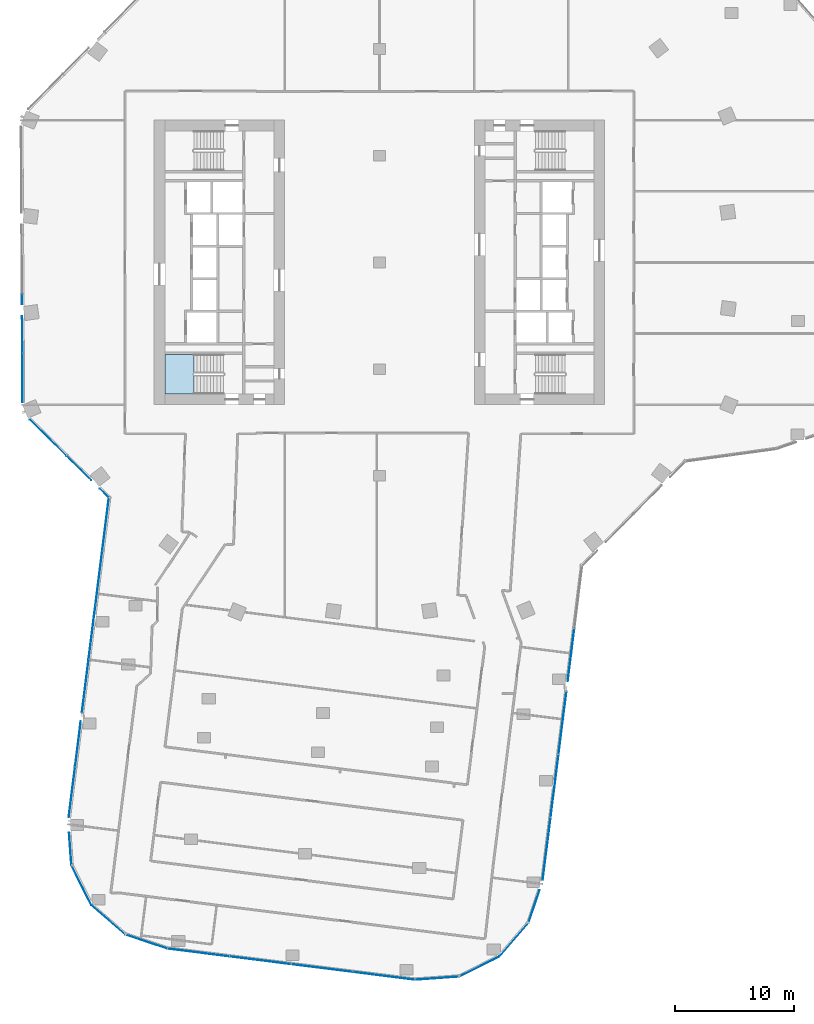
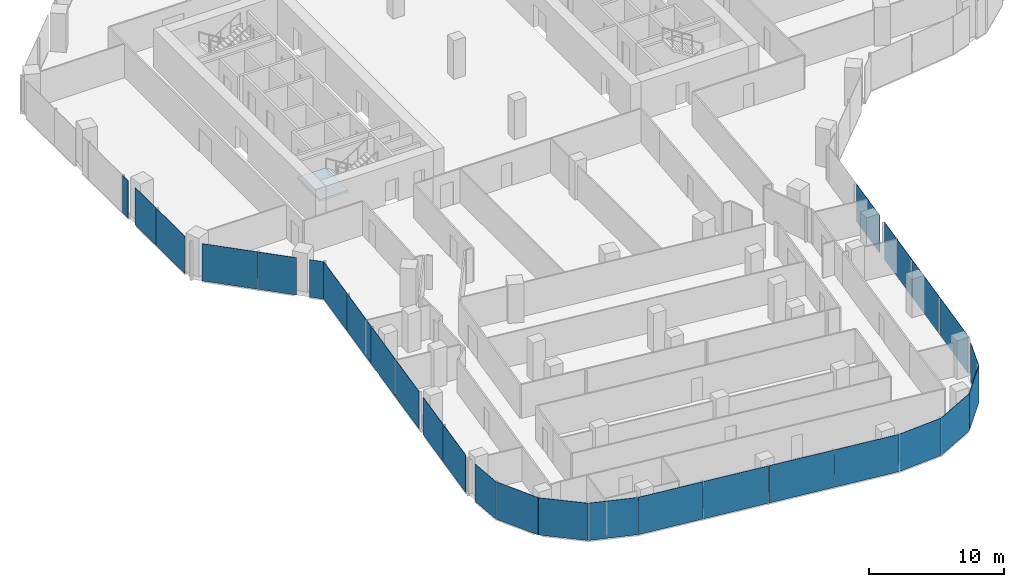
# One storey, part 13 of 27: 28 plates, 1 slab, 14 elements without a shape of their own.
"""IFC4 building model written with IfcOpenShell, lengths in metres."""

from ifc_helpers import new_model, si_unit, direction, frame, origin, origin_2d, place, context, subcontext, project, spatial, polyline, rectangle, outline, extrude, material, layer, layer_set, type_object, element, aggregate, save


model = new_model("IFC4")

# Units and contexts
model_context = context("Model", 3, precision=1e-05, world=origin(), true_north=direction((0.0, 1.0)))
body_context = subcontext(model_context, "Body", "Model", "MODEL_VIEW")
ifc_project = project(units=[si_unit("LENGTHUNIT", "METRE"), si_unit("AREAUNIT", "SQUARE_METRE"), si_unit("VOLUMEUNIT", "CUBIC_METRE"), si_unit("PLANEANGLEUNIT", "RADIAN"), si_unit("MASSUNIT", "GRAM", prefix="KILO")], contexts=[model_context])

# Site, building, storey
site_placement = place(None, origin())
site = spatial("IfcSite", under=ifc_project, at=site_placement, CompositionType="ELEMENT")
building_placement = place(site_placement, origin())
building = spatial("IfcBuilding", under=site, at=building_placement, Name="Orlundy Tower", CompositionType="ELEMENT")
storey_placement = place(building_placement, frame((0.0, 0.0, 192.10009765625)))
storey = spatial("IfcBuildingStorey", under=building, at=storey_placement, Name="L50", CompositionType="ELEMENT", Elevation=192.10009765625)

# Curtain wall, plates
ifc_material_1 = material(Name="Aluminium bronze anodised", Category="aluminium")
curtain_wall_type = type_object("IfcCurtainWallType", Name="CW1 wall", PredefinedType="NOTDEFINED", material=ifc_material_1)
curtain_wall_1_placement = place(storey_placement, origin())
curtain_wall_1 = element("IfcCurtainWall", 1, at=curtain_wall_1_placement, inside=storey, type_object=curtain_wall_type, Name="CW1 run 00", PredefinedType="NOTDEFINED")
ifc_material_2 = material(Name="Tinted glass", Category="glass")
ifc_layer_1 = layer(ifc_material_2, 0.031982421875)
ifc_layer_set_1 = layer_set([ifc_layer_1], Name="CW1 glass panel 32")
plate_type = type_object("IfcPlateType", Name="CW1 glass panel 32", PredefinedType="CURTAIN_PANEL", material=ifc_layer_set_1)
plate_1_placement = place(storey_placement, frame((-25.94189453125, -44.684814453125, -0.300048828125), z_axis=(0.0, 0.0, 1.0), x_axis=(0.124763360518, 0.992186526754, 0.0)))
plate_1 = element("IfcPlate", 2, at=plate_1_placement, type_object=plate_type, Name="CW1 panel", PredefinedType="CURTAIN_PANEL", context=body_context, shape_type="SweptSolid", body=[
    extrude(rectangle(XDim=4.27197265625, YDim=0.031982421875, at=origin_2d()), origin(), (0.0, 0.0, 1.0), 3.3798828125),
])
plate_2_placement = place(storey_placement, frame((-25.4306640625, -40.618896484375, -0.300048828125), z_axis=(0.0, 0.0, 1.0), x_axis=(0.124763360518, 0.992186526754, 0.0)))
plate_2 = element("IfcPlate", 3, at=plate_2_placement, type_object=plate_type, Name="CW1 panel", PredefinedType="CURTAIN_PANEL", context=body_context, shape_type="SweptSolid", body=[
    extrude(rectangle(XDim=3.823974609375, YDim=0.031982421875, at=origin_2d()), origin(), (0.0, 0.0, 1.0), 3.3798828125),
])
plate_3_placement = place(storey_placement, frame((-24.8134765625, -35.71142578125, -0.300048828125), z_axis=(0.0, 0.0, 1.0), x_axis=(0.124763360518, 0.992186526754, 0.0)))
plate_3 = element("IfcPlate", 4, at=plate_3_placement, type_object=plate_type, Name="CW1 panel", PredefinedType="CURTAIN_PANEL", context=body_context, shape_type="SweptSolid", body=[
    extrude(rectangle(XDim=4.53857421875, YDim=0.031982421875, at=origin_2d()), origin(), (0.0, 0.0, 1.0), 3.3798828125),
])
plate_4_placement = place(storey_placement, frame((-24.240966796875, -31.15869140625, -0.300048828125), z_axis=(0.0, 0.0, 1.0), x_axis=(0.124763360518, 0.992186526754, 0.0)))
plate_4 = element("IfcPlate", 5, at=plate_4_placement, type_object=plate_type, Name="CW1 panel", PredefinedType="CURTAIN_PANEL", context=body_context, shape_type="SweptSolid", body=[
    extrude(rectangle(XDim=4.53857421875, YDim=0.031982421875, at=origin_2d()), origin(), (0.0, 0.0, 1.0), 3.3798828125),
])
plate_5_placement = place(storey_placement, frame((-23.66845703125, -26.605712890625, -0.300048828125), z_axis=(0.0, 0.0, 1.0), x_axis=(0.124763360518, 0.992186526754, 0.0)))
plate_5 = element("IfcPlate", 6, at=plate_5_placement, type_object=plate_type, Name="CW1 panel", PredefinedType="CURTAIN_PANEL", context=body_context, shape_type="SweptSolid", body=[
    extrude(rectangle(XDim=4.53857421875, YDim=0.031982421875, at=origin_2d()), origin(), (0.0, 0.0, 1.0), 3.3798828125),
])
plate_6_placement = place(storey_placement, frame((-23.099365234375, -22.08056640625, -0.300048828125), z_axis=(0.0, 0.0, 1.0), x_axis=(0.124763360518, 0.992186526754, 0.0)))
plate_6 = element("IfcPlate", 7, at=plate_6_placement, type_object=plate_type, Name="CW1 panel", PredefinedType="CURTAIN_PANEL", context=body_context, shape_type="SweptSolid", body=[
    extrude(rectangle(XDim=4.48291015625, YDim=0.031982421875, at=origin_2d()), origin(), (0.0, 0.0, 1.0), 3.3798828125),
])
aggregate(curtain_wall_1, [plate_1, plate_2, plate_3, plate_4, plate_5, plate_6])

curtain_wall_2_placement = place(storey_placement, origin())
curtain_wall_2 = element("IfcCurtainWall", 8, at=curtain_wall_2_placement, inside=storey, type_object=curtain_wall_type, Name="CW1 run 01", PredefinedType="NOTDEFINED")
plate_7_placement = place(storey_placement, frame((-23.206298828125, -19.474853515625, -0.300048828125), z_axis=(0.0, 0.0, 1.0), x_axis=(-0.711197941896, 0.702991811789, 0.0)))
plate_7 = element("IfcPlate", 9, at=plate_7_placement, type_object=plate_type, Name="CW1 panel", PredefinedType="CURTAIN_PANEL", context=body_context, shape_type="SweptSolid", body=[
    extrude(rectangle(XDim=1.086669921875, YDim=0.031982421875, at=origin_2d()), origin(), (0.0, 0.0, 1.0), 3.3798828125),
])
plate_8_placement = place(storey_placement, frame((-25.350830078125, -17.35498046875, -0.300048828125), z_axis=(0.0, 0.0, 1.0), x_axis=(-0.711197941896, 0.702991811789, 0.0)))
plate_8 = element("IfcPlate", 10, at=plate_8_placement, type_object=plate_type, Name="CW1 panel", PredefinedType="CURTAIN_PANEL", context=body_context, shape_type="SweptSolid", body=[
    extrude(rectangle(XDim=2.90673828125, YDim=0.031982421875, at=origin_2d()), origin(), (0.0, 0.0, 1.0), 3.3798828125),
])
plate_9_placement = place(storey_placement, frame((-27.947509765625, -14.788330078125, -0.300048828125), z_axis=(0.0, 0.0, 1.0), x_axis=(-0.711197941896, 0.702991811789, 0.0)))
plate_9 = element("IfcPlate", 11, at=plate_9_placement, type_object=plate_type, Name="CW1 panel", PredefinedType="CURTAIN_PANEL", context=body_context, shape_type="SweptSolid", body=[
    extrude(rectangle(XDim=4.29541015625, YDim=0.031982421875, at=origin_2d()), origin(), (0.0, 0.0, 1.0), 3.3798828125),
])
aggregate(curtain_wall_2, [plate_7, plate_8, plate_9])

curtain_wall_3_placement = place(storey_placement, origin())
curtain_wall_3 = element("IfcCurtainWall", 12, at=curtain_wall_3_placement, inside=storey, type_object=curtain_wall_type, Name="CW1 run 02", PredefinedType="NOTDEFINED")
plate_10_placement = place(storey_placement, frame((-30.107666015625, -9.72998046875, -0.300048828125), z_axis=(0.0, 0.0, 1.0), x_axis=(-0.005834206419, 0.999982980873, 0.0)))
plate_10 = element("IfcPlate", 13, at=plate_10_placement, type_object=plate_type, Name="CW1 panel", PredefinedType="CURTAIN_PANEL", context=body_context, shape_type="SweptSolid", body=[
    extrude(rectangle(XDim=4.1474609375, YDim=0.031982421875, at=origin_2d()), origin(), (0.0, 0.0, 1.0), 3.3798828125),
])
plate_11_placement = place(storey_placement, frame((-30.129150390625, -6.078857421875, -0.300048828125), z_axis=(0.0, 0.0, 1.0), x_axis=(-0.005834206419, 0.999982980873, 0.0)))
plate_11 = element("IfcPlate", 14, at=plate_11_placement, type_object=plate_type, Name="CW1 panel", PredefinedType="CURTAIN_PANEL", context=body_context, shape_type="SweptSolid", body=[
    extrude(rectangle(XDim=3.054931640625, YDim=0.031982421875, at=origin_2d()), origin(), (0.0, 0.0, 1.0), 3.3798828125),
])
plate_12_placement = place(storey_placement, frame((-30.146484375, -3.109130859375, -0.300048828125), z_axis=(0.0, 0.0, 1.0), x_axis=(-0.005834206419, 0.999982980873, 0.0)))
plate_12 = element("IfcPlate", 15, at=plate_12_placement, type_object=plate_type, Name="CW1 panel", PredefinedType="CURTAIN_PANEL", context=body_context, shape_type="SweptSolid", body=[
    extrude(rectangle(XDim=0.8466796875, YDim=0.031982421875, at=origin_2d()), origin(), (0.0, 0.0, 1.0), 3.3798828125),
])
aggregate(curtain_wall_3, [plate_10, plate_11, plate_12])

curtain_wall_4_placement = place(storey_placement, origin())
curtain_wall_4 = element("IfcCurtainWall", 16, at=curtain_wall_4_placement, inside=storey, type_object=curtain_wall_type, Name="CW1 run 018", PredefinedType="NOTDEFINED")
plate_13_placement = place(storey_placement, frame((16.15966796875, -33.10693359375, -0.300048828125), z_axis=(0.0, 0.0, 1.0), x_axis=(-0.124742379758, -0.992189164773, 0.0)))
plate_13 = element("IfcPlate", 17, at=plate_13_placement, type_object=plate_type, Name="CW1 panel", PredefinedType="CURTAIN_PANEL", context=body_context, shape_type="SweptSolid", body=[
    extrude(rectangle(XDim=4.468505859375, YDim=0.031982421875, at=origin_2d()), origin(), (0.0, 0.0, 1.0), 3.3798828125),
])
plate_14_placement = place(storey_placement, frame((15.439208984375, -38.83740234375, -0.300048828125), z_axis=(0.0, 0.0, 1.0), x_axis=(-0.124742379758, -0.992189164773, 0.0)))
plate_14 = element("IfcPlate", 18, at=plate_14_placement, type_object=plate_type, Name="CW1 panel", PredefinedType="CURTAIN_PANEL", context=body_context, shape_type="SweptSolid", body=[
    extrude(rectangle(XDim=5.306640625, YDim=0.031982421875, at=origin_2d()), origin(), (0.0, 0.0, 1.0), 3.3798828125),
])
plate_15_placement = place(storey_placement, frame((14.77099609375, -44.15234375, -0.300048828125), z_axis=(0.0, 0.0, 1.0), x_axis=(-0.124742379758, -0.992189164773, 0.0)))
plate_15 = element("IfcPlate", 19, at=plate_15_placement, type_object=plate_type, Name="CW1 panel", PredefinedType="CURTAIN_PANEL", context=body_context, shape_type="SweptSolid", body=[
    extrude(rectangle(XDim=5.306640625, YDim=0.031982421875, at=origin_2d()), origin(), (0.0, 0.0, 1.0), 3.3798828125),
])
plate_16_placement = place(storey_placement, frame((14.101806640625, -49.47509765625, -0.300048828125), z_axis=(0.0, 0.0, 1.0), x_axis=(-0.124742379758, -0.992189164773, 0.0)))
plate_16 = element("IfcPlate", 20, at=plate_16_placement, type_object=plate_type, Name="CW1 panel", PredefinedType="CURTAIN_PANEL", context=body_context, shape_type="SweptSolid", body=[
    extrude(rectangle(XDim=5.32275390625, YDim=0.031982421875, at=origin_2d()), origin(), (0.0, 0.0, 1.0), 3.3798828125),
])
aggregate(curtain_wall_4, [plate_13, plate_14, plate_15, plate_16])

# Curtain wall, plate
curtain_wall_5_placement = place(storey_placement, origin())
curtain_wall_5 = element("IfcCurtainWall", 21, at=curtain_wall_5_placement, inside=storey, type_object=curtain_wall_type, Name="CW1 run 019", PredefinedType="NOTDEFINED")
plate_17_placement = place(storey_placement, frame((13.039794921875, -54.323974609375, -0.300048828125), z_axis=(0.0, 0.0, 1.0), x_axis=(-0.315904020179, -0.948791151958, 0.0)))
plate_17 = element("IfcPlate", 22, at=plate_17_placement, type_object=plate_type, Name="CW1 panel", PredefinedType="CURTAIN_PANEL", context=body_context, shape_type="SweptSolid", body=[
    extrude(rectangle(XDim=2.90869140625, YDim=0.031982421875, at=origin_2d()), origin(), (0.0, 0.0, 1.0), 3.3798828125),
])
aggregate(curtain_wall_5, [plate_17])

curtain_wall_6_placement = place(storey_placement, origin())
curtain_wall_6 = element("IfcCurtainWall", 23, at=curtain_wall_6_placement, inside=storey, type_object=curtain_wall_type, Name="CW1 run 020", PredefinedType="NOTDEFINED")
plate_18_placement = place(storey_placement, frame((11.344970703125, -57.12890625, -0.300048828125), z_axis=(0.0, 0.0, 1.0), x_axis=(-0.655002428568, -0.755626772005, 0.0)))
plate_18 = element("IfcPlate", 24, at=plate_18_placement, type_object=plate_type, Name="CW1 panel", PredefinedType="CURTAIN_PANEL", context=body_context, shape_type="SweptSolid", body=[
    extrude(rectangle(XDim=3.772216796875, YDim=0.031982421875, at=origin_2d()), origin(), (0.0, 0.0, 1.0), 3.3798828125),
])
aggregate(curtain_wall_6, [plate_18])

curtain_wall_7_placement = place(storey_placement, origin())
curtain_wall_7 = element("IfcCurtainWall", 25, at=curtain_wall_7_placement, inside=storey, type_object=curtain_wall_type, Name="CW1 run 021", PredefinedType="NOTDEFINED")
plate_19_placement = place(storey_placement, frame((8.4228515625, -59.398193359375, -0.300048828125), z_axis=(0.0, 0.0, 1.0), x_axis=(-0.894265274448, -0.447537282153, 0.0)))
plate_19 = element("IfcPlate", 26, at=plate_19_placement, type_object=plate_type, Name="CW1 panel", PredefinedType="CURTAIN_PANEL", context=body_context, shape_type="SweptSolid", body=[
    extrude(rectangle(XDim=3.772216796875, YDim=0.031982421875, at=origin_2d()), origin(), (0.0, 0.0, 1.0), 3.3798828125),
])
aggregate(curtain_wall_7, [plate_19])

curtain_wall_8_placement = place(storey_placement, origin())
curtain_wall_8 = element("IfcCurtainWall", 27, at=curtain_wall_8_placement, inside=storey, type_object=curtain_wall_type, Name="CW1 run 022", PredefinedType="NOTDEFINED")
plate_20_placement = place(storey_placement, frame((4.8759765625, -60.375, -0.300048828125), z_axis=(0.0, 0.0, 1.0), x_axis=(-0.997460069203, -0.071227876188, 0.0)))
plate_20 = element("IfcPlate", 28, at=plate_20_placement, type_object=plate_type, Name="CW1 panel", PredefinedType="CURTAIN_PANEL", context=body_context, shape_type="SweptSolid", body=[
    extrude(rectangle(XDim=3.72998046875, YDim=0.031982421875, at=origin_2d()), origin(), (0.0, 0.0, 1.0), 3.3798828125),
])
aggregate(curtain_wall_8, [plate_20])

# Curtain wall, plates
curtain_wall_9_placement = place(storey_placement, origin())
curtain_wall_9 = element("IfcCurtainWall", 29, at=curtain_wall_9_placement, inside=storey, type_object=curtain_wall_type, Name="CW1 run 023", PredefinedType="NOTDEFINED")
plate_21_placement = place(storey_placement, frame((0.3779296875, -60.18115234375, -0.300048828125), z_axis=(0.0, 0.0, 1.0), x_axis=(-0.992186768434, 0.12476143853, 0.0)))
plate_21 = element("IfcPlate", 30, at=plate_21_placement, type_object=plate_type, Name="CW1 panel", PredefinedType="CURTAIN_PANEL", context=body_context, shape_type="SweptSolid", body=[
    extrude(rectangle(XDim=5.216064453125, YDim=0.031982421875, at=origin_2d()), origin(), (0.0, 0.0, 1.0), 3.3798828125),
])
plate_22_placement = place(storey_placement, frame((-4.8388671875, -59.525146484375, -0.300048828125), z_axis=(0.0, 0.0, 1.0), x_axis=(-0.992186768434, 0.12476143853, 0.0)))
plate_22 = element("IfcPlate", 31, at=plate_22_placement, type_object=plate_type, Name="CW1 panel", PredefinedType="CURTAIN_PANEL", context=body_context, shape_type="SweptSolid", body=[
    extrude(rectangle(XDim=5.199951171875, YDim=0.031982421875, at=origin_2d()), origin(), (0.0, 0.0, 1.0), 3.3798828125),
])
plate_23_placement = place(storey_placement, frame((-10.0478515625, -58.8701171875, -0.300048828125), z_axis=(0.0, 0.0, 1.0), x_axis=(-0.992186768434, 0.12476143853, 0.0)))
plate_23 = element("IfcPlate", 32, at=plate_23_placement, type_object=plate_type, Name="CW1 panel", PredefinedType="CURTAIN_PANEL", context=body_context, shape_type="SweptSolid", body=[
    extrude(rectangle(XDim=5.199951171875, YDim=0.031982421875, at=origin_2d()), origin(), (0.0, 0.0, 1.0), 3.3798828125),
])
plate_24_placement = place(storey_placement, frame((-15.264892578125, -58.214111328125, -0.300048828125), z_axis=(0.0, 0.0, 1.0), x_axis=(-0.992186768434, 0.12476143853, 0.0)))
plate_24 = element("IfcPlate", 33, at=plate_24_placement, type_object=plate_type, Name="CW1 panel", PredefinedType="CURTAIN_PANEL", context=body_context, shape_type="SweptSolid", body=[
    extrude(rectangle(XDim=5.216064453125, YDim=0.031982421875, at=origin_2d()), origin(), (0.0, 0.0, 1.0), 3.3798828125),
])
aggregate(curtain_wall_9, [plate_21, plate_22, plate_23, plate_24])

# Curtain wall, plate
curtain_wall_10_placement = place(storey_placement, origin())
curtain_wall_10 = element("IfcCurtainWall", 34, at=curtain_wall_10_placement, inside=storey, type_object=curtain_wall_type, Name="CW1 run 024", PredefinedType="NOTDEFINED")
plate_25_placement = place(storey_placement, frame((-19.671142578125, -57.28857421875, -0.300048828125), z_axis=(0.0, 0.0, 1.0), x_axis=(-0.948791151958, 0.315904020179, 0.0)))
plate_25 = element("IfcPlate", 35, at=plate_25_placement, type_object=plate_type, Name="CW1 panel", PredefinedType="CURTAIN_PANEL", context=body_context, shape_type="SweptSolid", body=[
    extrude(rectangle(XDim=3.73046875, YDim=0.031982421875, at=origin_2d()), origin(), (0.0, 0.0, 1.0), 3.3798828125),
])
aggregate(curtain_wall_10, [plate_25])

curtain_wall_11_placement = place(storey_placement, origin())
curtain_wall_11 = element("IfcCurtainWall", 36, at=curtain_wall_11_placement, inside=storey, type_object=curtain_wall_type, Name="CW1 run 025", PredefinedType="NOTDEFINED")
plate_26_placement = place(storey_placement, frame((-22.865966796875, -55.4638671875, -0.300048828125), z_axis=(0.0, 0.0, 1.0), x_axis=(-0.755626772005, 0.655002428568, 0.0)))
plate_26 = element("IfcPlate", 37, at=plate_26_placement, type_object=plate_type, Name="CW1 panel", PredefinedType="CURTAIN_PANEL", context=body_context, shape_type="SweptSolid", body=[
    extrude(rectangle(XDim=3.77197265625, YDim=0.031982421875, at=origin_2d()), origin(), (0.0, 0.0, 1.0), 3.3798828125),
])
aggregate(curtain_wall_11, [plate_26])

curtain_wall_12_placement = place(storey_placement, origin())
curtain_wall_12 = element("IfcCurtainWall", 38, at=curtain_wall_12_placement, inside=storey, type_object=curtain_wall_type, Name="CW1 run 026", PredefinedType="NOTDEFINED")
plate_27_placement = place(storey_placement, frame((-25.13525390625, -52.54248046875, -0.300048828125), z_axis=(0.0, 0.0, 1.0), x_axis=(-0.447645268798, 0.894211224109, 0.0)))
plate_27 = element("IfcPlate", 39, at=plate_27_placement, type_object=plate_type, Name="CW1 panel", PredefinedType="CURTAIN_PANEL", context=body_context, shape_type="SweptSolid", body=[
    extrude(rectangle(XDim=3.771240234375, YDim=0.031982421875, at=origin_2d()), origin(), (0.0, 0.0, 1.0), 3.3798828125),
])
aggregate(curtain_wall_12, [plate_27])

curtain_wall_13_placement = place(storey_placement, origin())
curtain_wall_13 = element("IfcCurtainWall", 40, at=curtain_wall_13_placement, inside=storey, type_object=curtain_wall_type, Name="CW1 run 027", PredefinedType="NOTDEFINED")
plate_28_placement = place(storey_placement, frame((-26.077392578125, -49.480224609375, -0.300048828125), z_axis=(0.0, 0.0, 1.0), x_axis=(-0.071208712685, 0.997461437469, 0.0)))
plate_28 = element("IfcPlate", 41, at=plate_28_placement, type_object=plate_type, Name="CW1 panel", PredefinedType="CURTAIN_PANEL", context=body_context, shape_type="SweptSolid", body=[
    extrude(rectangle(XDim=2.75927734375, YDim=0.031982421875, at=origin_2d()), origin(), (0.0, 0.0, 1.0), 3.3798828125),
])
aggregate(curtain_wall_13, [plate_28])

# Stair, slab
ifc_material_3 = material(Name="Concrete C50/60", Category="concrete")
stair_type = type_object("IfcStairType", Name="Exit Stair 20 risers", PredefinedType="HALF_TURN_STAIR", material=ifc_material_3)
stair_placement = place(storey_placement, origin())
stair = element("IfcStair", 42, at=stair_placement, inside=storey, type_object=stair_type, Name="L50 Exit Stair ST-W2", PredefinedType="HALF_TURN_STAIR")
ifc_material_4 = material(Name="Concrete C50/60", Category="concrete")
ifc_layer_2 = layer(ifc_material_4, 0.199951171875)
ifc_layer_set_2 = layer_set([ifc_layer_2], Name="Exit Stair Landing")
slab_type = type_object("IfcSlabType", Name="Exit Stair Landing", PredefinedType="LANDING", material=ifc_layer_set_2)
slab_placement = place(storey_placement, frame((0.0, 0.0, 1.5498046875)))
slab = element("IfcSlab", 43, at=slab_placement, type_object=slab_type, Name="ST-W2 landing 1", PredefinedType="LANDING", context=body_context, shape_type="SweptSolid", body=[
    extrude(outline(polyline([(-15.659912109375, -7.75), (-18.10009765625, -7.75), (-18.10009765625, -11.10009765625), (-15.659912109375, -11.10009765625), (-15.659912109375, -7.75)])), origin(), (0.0, 0.0, 1.0), 0.2001953125),
])
aggregate(stair, [slab])

save(model, "model.ifc")
